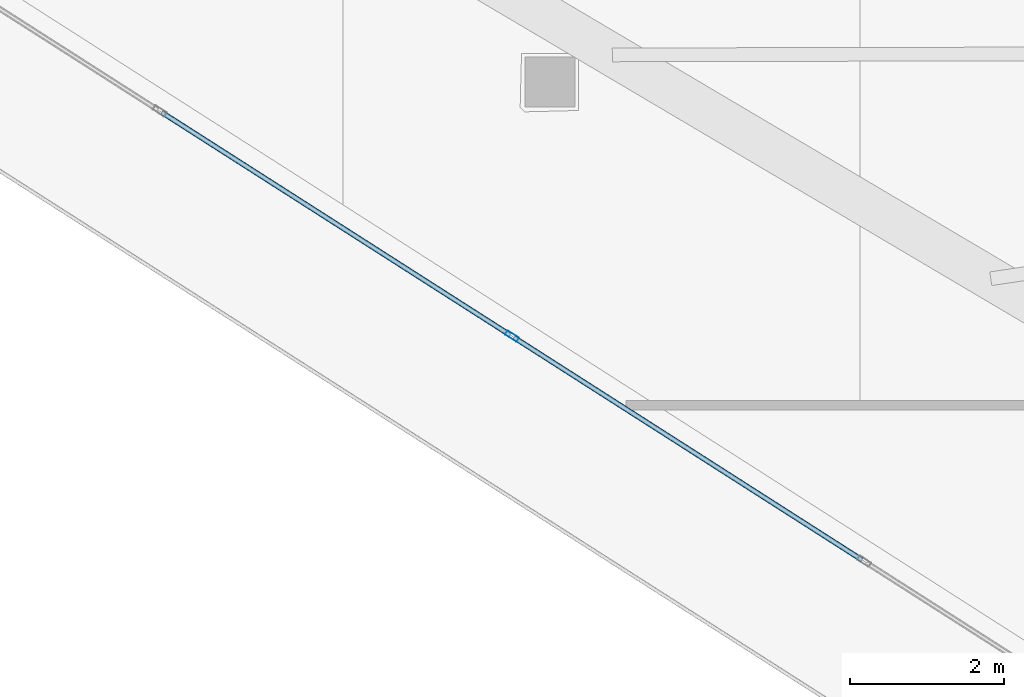
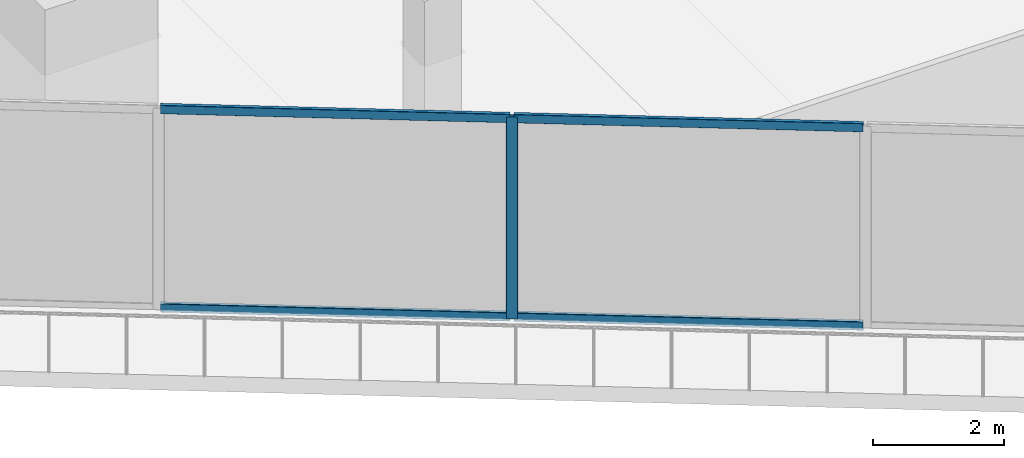
# One storey, part 3 of 45: 5 members, 1 element without a shape of its own.
"""IFC4 building model written with IfcOpenShell, lengths in metres."""

from ifc_helpers import new_model, si_unit, direction, frame, origin, origin_2d, place, context, subcontext, project, spatial, hollow_rectangle, extrude, material, layer, layer_set, material_profile, profile_set, type_object, element, aggregate, save


model = new_model("IFC4")

# Units and contexts
model_context = context("Model", 3, precision=1e-05, world=origin(), true_north=direction((0.0, 1.0)))
body_context = subcontext(model_context, "Body", "Model", "MODEL_VIEW")
ifc_project = project(units=[si_unit("LENGTHUNIT", "METRE"), si_unit("AREAUNIT", "SQUARE_METRE"), si_unit("VOLUMEUNIT", "CUBIC_METRE"), si_unit("PLANEANGLEUNIT", "RADIAN"), si_unit("MASSUNIT", "GRAM", prefix="KILO")], contexts=[model_context])

# Site, building, storey
site_placement = place(None, origin())
site = spatial("IfcSite", under=ifc_project, at=site_placement, CompositionType="ELEMENT")
building_placement = place(site_placement, origin())
building = spatial("IfcBuilding", under=site, at=building_placement, Name="Qorvath Tower", CompositionType="ELEMENT")
storey_placement = place(building_placement, frame((0.0, 0.0, 109.800048828125)))
storey = spatial("IfcBuildingStorey", under=building, at=storey_placement, Name="L24", CompositionType="ELEMENT", Elevation=109.800048828125)

# Curtain wall, members
ifc_material_1 = material(Name="Anodised aluminium and triple low-E glass", Category="aluminium")
ifc_layer = layer(ifc_material_1, 0.179931640625)
ifc_layer_set = layer_set([ifc_layer], Name="CW-SYS-2")
curtain_wall_type = type_object("IfcCurtainWallType", Name="CW-SYS-2", PredefinedType="NOTDEFINED", material=ifc_layer_set)
curtain_wall_placement = place(storey_placement, origin())
curtain_wall = element("IfcCurtainWall", 1, at=curtain_wall_placement, inside=storey, type_object=curtain_wall_type, Name="Curtain Wall CW-2 CW-T-L24-2.1", PredefinedType="NOTDEFINED")
ifc_material_2 = material(Name="Anodised aluminium 6063-T6", Category="aluminium")
ifc_material_profile_1 = material_profile(ifc_material_2, hollow_rectangle(XDim=0.06494140625, YDim=0.179931640625, WallThickness=0.00341796875, InnerFilletRadius=0.00341796875, OuterFilletRadius=0.007080078125, at=origin_2d()), Name="CWM 180x65")
ifc_profile_set_1 = profile_set([ifc_material_profile_1], Name="Anodised aluminium 6063-T6")
member_type_1 = type_object("IfcMemberType", Name="CWM-180", PredefinedType="MULLION", material=ifc_profile_set_1)
member_1_placement = place(storey_placement, frame((-49.069091796875, -9.714599609375, 0.0), z_axis=(0.0, 0.0, 1.0), x_axis=(0.538529946269, 0.84260637131, 0.0)))
member_1 = element("IfcMember", 2, at=member_1_placement, type_object=member_type_1, Name="CW-2 mullion 3", PredefinedType="MULLION", context=body_context, shape_type="SweptSolid", body=[
    extrude(hollow_rectangle(XDim=0.06494140625, YDim=0.179931640625, WallThickness=0.00341796875, InnerFilletRadius=0.00341796875, OuterFilletRadius=0.007080078125, at=origin_2d()), origin(), (0.0, 0.0, 1.0), 3.77001953125),
])
ifc_material_3 = material(Name="Anodised aluminium 6063-T6", Category="aluminium")
ifc_material_profile_2 = material_profile(ifc_material_3, hollow_rectangle(XDim=0.06494140625, YDim=0.159912109375, WallThickness=0.00341796875, InnerFilletRadius=0.00341796875, OuterFilletRadius=0.007080078125, at=origin_2d()), Name="CWT 160x65")
ifc_profile_set_2 = profile_set([ifc_material_profile_2], Name="Anodised aluminium 6063-T6")
member_type_2 = type_object("IfcMemberType", Name="CWT-160", PredefinedType="USERDEFINED", material=ifc_profile_set_2)
member_2_placement = place(storey_placement, frame((-53.602294921875, -6.8173828125, 0.032470703125), z_axis=(0.842599583756, -0.538540566211, 0.0), x_axis=(0.538540566211, 0.842599583756, 0.0)))
member_2 = element("IfcMember", 3, at=member_2_placement, type_object=member_type_2, Name="CW-2 transom 2.1", ObjectType="TRANSOM", PredefinedType="USERDEFINED", context=body_context, shape_type="SweptSolid", body=[
    extrude(hollow_rectangle(XDim=0.06494140625, YDim=0.159912109375, WallThickness=0.00341796875, InnerFilletRadius=0.00341796875, OuterFilletRadius=0.007080078125, at=origin_2d()), origin(), (0.0, 0.0, 1.0), 5.34765625),
])
member_3_placement = place(storey_placement, frame((-53.602294921875, -6.8173828125, 3.737548828125), z_axis=(0.842599583756, -0.538540566211, 0.0), x_axis=(0.538540566211, 0.842599583756, 0.0)))
member_3 = element("IfcMember", 4, at=member_3_placement, type_object=member_type_2, Name="CW-2 transom 2.2", ObjectType="TRANSOM", PredefinedType="USERDEFINED", context=body_context, shape_type="SweptSolid", body=[
    extrude(hollow_rectangle(XDim=0.06494140625, YDim=0.159912109375, WallThickness=0.00341796875, InnerFilletRadius=0.00341796875, OuterFilletRadius=0.007080078125, at=origin_2d()), origin(), (0.0, 0.0, 1.0), 5.34765625),
])
member_4_placement = place(storey_placement, frame((-49.041748046875, -9.732177734375, 0.032470703125), z_axis=(0.842612823983, -0.538519850014, 0.0), x_axis=(0.538519850014, 0.842612823983, 0.0)))
member_4 = element("IfcMember", 5, at=member_4_placement, type_object=member_type_2, Name="CW-2 transom 3.1", ObjectType="TRANSOM", PredefinedType="USERDEFINED", context=body_context, shape_type="SweptSolid", body=[
    extrude(hollow_rectangle(XDim=0.06494140625, YDim=0.159912109375, WallThickness=0.00341796875, InnerFilletRadius=0.00341796875, OuterFilletRadius=0.007080078125, at=origin_2d()), origin(), (0.0, 0.0, 1.0), 5.34765625),
])
member_5_placement = place(storey_placement, frame((-49.041748046875, -9.732177734375, 3.737548828125), z_axis=(0.842612823983, -0.538519850014, 0.0), x_axis=(0.538519850014, 0.842612823983, 0.0)))
member_5 = element("IfcMember", 6, at=member_5_placement, type_object=member_type_2, Name="CW-2 transom 3.2", ObjectType="TRANSOM", PredefinedType="USERDEFINED", context=body_context, shape_type="SweptSolid", body=[
    extrude(hollow_rectangle(XDim=0.06494140625, YDim=0.159912109375, WallThickness=0.00341796875, InnerFilletRadius=0.00341796875, OuterFilletRadius=0.007080078125, at=origin_2d()), origin(), (0.0, 0.0, 1.0), 5.34765625),
])
aggregate(curtain_wall, [member_1, member_2, member_3, member_4, member_5])

save(model, "model.ifc")
